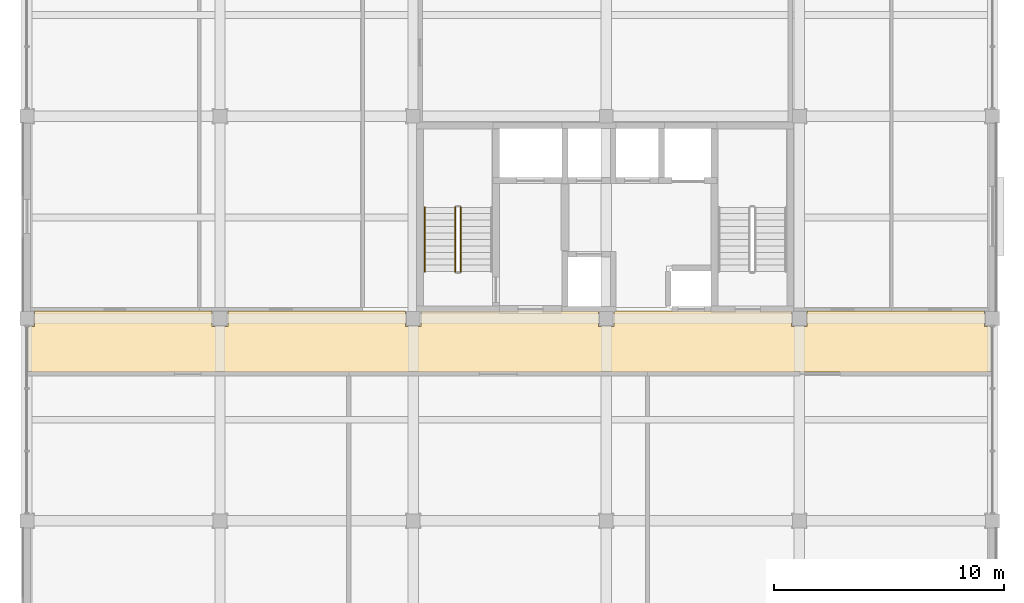
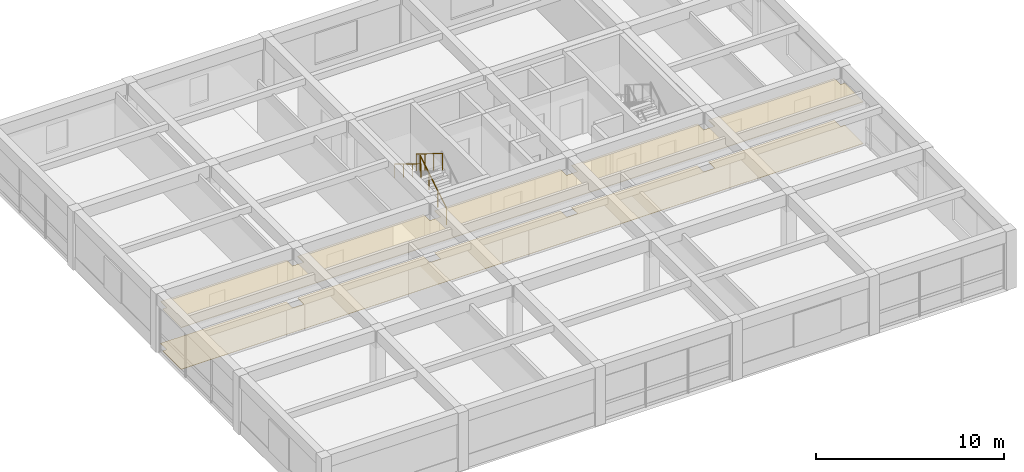
# One storey, part 12 of 14: 3 railings, 2 coverings.
"""IFC4 building model written with IfcOpenShell, lengths in metres."""

from ifc_helpers import new_model, si_unit, direction, frame, origin, origin_2d, place, context, subcontext, project, spatial, polyline, circle, outline, extrude, material, layer, layer_set, type_object, element, save


model = new_model("IFC4")

# Units and contexts
model_context = context("Model", 3, precision=1e-05, world=origin(), true_north=direction((0.0, 1.0)))
body_context = subcontext(model_context, "Body", "Model", "MODEL_VIEW")
ifc_project = project(units=[si_unit("LENGTHUNIT", "METRE"), si_unit("AREAUNIT", "SQUARE_METRE"), si_unit("VOLUMEUNIT", "CUBIC_METRE"), si_unit("PLANEANGLEUNIT", "RADIAN"), si_unit("MASSUNIT", "GRAM", prefix="KILO")], contexts=[model_context])

# Site, building, storey
site_placement = place(None, origin())
site = spatial("IfcSite", under=ifc_project, at=site_placement, CompositionType="ELEMENT")
building_placement = place(site_placement, origin())
building = spatial("IfcBuilding", under=site, at=building_placement, Name="Kemercrest Conservatory and Botanical Centre", CompositionType="ELEMENT")
storey_placement = place(building_placement, frame((0.0, 0.0, 44.39990234375)))
storey = spatial("IfcBuildingStorey", under=building, at=storey_placement, Name="L11", CompositionType="ELEMENT", Elevation=44.39990234375)

# Coverings
ifc_material_1 = material(Name="Perforated acoustic gypsum and mineral-fibre suspended ceiling", Category="gypsum")
ifc_layer_1 = layer(ifc_material_1, 0.034912109375)
ifc_layer_set_1 = layer_set([ifc_layer_1], Name="Perforated acoustic gypsum and mineral-fibre suspended ceiling")
covering_type_1 = type_object("IfcCoveringType", Name="CV-CLG035", PredefinedType="CEILING", material=ifc_layer_set_1)
covering_1_placement = place(storey_placement, frame((0.0, 0.0, 2.7001953125)))
element("IfcCovering", 1, at=covering_1_placement, inside=storey, type_object=covering_type_1, Name="Germplasm Suite Corridor suspended acoustic ceiling", PredefinedType="CEILING", context=body_context, shape_type="SweptSolid", body=[
    extrude(outline(polyline([(134.080078125, 102.47998046875), (175.919921875, 102.47998046875), (175.919921875, 104.4599609375), (175.659912109375, 104.4599609375), (175.659912109375, 105.1201171875), (167.93994140625, 105.1201171875), (167.93994140625, 104.4599609375), (167.260009765625, 104.4599609375), (167.260009765625, 105.1201171875), (159.5400390625, 105.1201171875), (159.5400390625, 104.4599609375), (158.860107421875, 104.4599609375), (158.860107421875, 105.1201171875), (151.139892578125, 105.1201171875), (151.139892578125, 104.4599609375), (150.4599609375, 104.4599609375), (150.4599609375, 105.1201171875), (142.739990234375, 105.1201171875), (142.739990234375, 104.4599609375), (142.06005859375, 104.4599609375), (142.06005859375, 105.1201171875), (134.340087890625, 105.1201171875), (134.340087890625, 104.4599609375), (134.080078125, 104.4599609375), (134.080078125, 102.47998046875)])), origin(), (0.0, 0.0, 1.0), 0.034912109375),
])
ifc_material_2 = material(Name="Polished limestone terrazzo and seamless laboratory epoxy flooring", Category="masonry")
ifc_layer_2 = layer(ifc_material_2, 0.02001953125)
ifc_layer_set_2 = layer_set([ifc_layer_2], Name="Polished limestone terrazzo and seamless laboratory epoxy flooring")
covering_type_2 = type_object("IfcCoveringType", Name="CV-FLR020", PredefinedType="FLOORING", material=ifc_layer_set_2)
covering_2_placement = place(storey_placement, origin())
element("IfcCovering", 2, at=covering_2_placement, inside=storey, type_object=covering_type_2, Name="Germplasm Suite Corridor floor finish", PredefinedType="FLOORING", context=body_context, shape_type="SweptSolid", body=[
    extrude(outline(polyline([(134.080078125, 102.47998046875), (175.919921875, 102.47998046875), (175.919921875, 104.4599609375), (175.659912109375, 104.4599609375), (175.659912109375, 105.1201171875), (167.93994140625, 105.1201171875), (167.93994140625, 104.4599609375), (167.260009765625, 104.4599609375), (167.260009765625, 105.1201171875), (159.5400390625, 105.1201171875), (159.5400390625, 104.4599609375), (158.860107421875, 104.4599609375), (158.860107421875, 105.1201171875), (151.139892578125, 105.1201171875), (151.139892578125, 104.4599609375), (150.4599609375, 104.4599609375), (150.4599609375, 105.1201171875), (142.739990234375, 105.1201171875), (142.739990234375, 104.4599609375), (142.06005859375, 104.4599609375), (142.06005859375, 105.1201171875), (134.340087890625, 105.1201171875), (134.340087890625, 104.4599609375), (134.080078125, 104.4599609375), (134.080078125, 102.47998046875)])), origin(), (0.0, 0.0, 1.0), 0.02001953125),
])

# Railings
ifc_material_3 = material(Name="Painted galvanized steel tubular stair guardrail", Category="steel")
railing_type_1 = type_object("IfcRailingType", Name="GR-STR110", PredefinedType="GUARDRAIL", material=ifc_material_3)
railing_1_placement = place(storey_placement, frame((152.8701171875, 106.840087890625, 0.1728515625)))
element("IfcRailing", 3, at=railing_1_placement, inside=storey, type_object=railing_type_1, Name="L11 ST-V4A stair guard 1", PredefinedType="GUARDRAIL", context=body_context, shape_type="SweptSolid", body=[
    extrude(circle(Radius=0.02392578125, at=origin_2d()), frame((0.0, 0.0, 1.076171875), z_axis=(0.0, 0.851069175582, 0.525053576669), x_axis=(-1.0, 0.0, 0.0)), (0.0, 0.0, 1.0), 3.289794921875),
    extrude(circle(Radius=0.02099609375, at=origin_2d()), origin(), (0.0, 0.0, 1.0), 1.052001953125),
    extrude(circle(Radius=0.02099609375, at=origin_2d()), frame((0.0, 0.933349609375, 0.57568359375)), (0.0, 0.0, 1.0), 1.052001953125),
    extrude(circle(Radius=0.02099609375, at=origin_2d()), frame((0.0, 1.866455078125, 1.151611328125)), (0.0, 0.0, 1.0), 1.052001953125),
    extrude(circle(Radius=0.02099609375, at=origin_2d()), frame((0.0, 2.7998046875, 1.727294921875)), (0.0, 0.0, 1.0), 1.052001953125),
])
railing_2_placement = place(storey_placement, frame((152.6298828125, 109.639892578125, 2.07275390625)))
element("IfcRailing", 4, at=railing_2_placement, inside=storey, type_object=railing_type_1, Name="L11 ST-V4A stair guard 3", PredefinedType="GUARDRAIL", context=body_context, shape_type="SweptSolid", body=[
    extrude(circle(Radius=0.02392578125, at=origin_2d()), frame((0.0, 0.0, 1.076171875), z_axis=(0.0, -0.851069175582, 0.525053576669), x_axis=(1.0, 0.0, 0.0)), (0.0, 0.0, 1.0), 3.289794921875),
    extrude(circle(Radius=0.02099609375, at=origin_2d()), origin(), (0.0, 0.0, 1.0), 1.052001953125),
    extrude(circle(Radius=0.02099609375, at=origin_2d()), frame((0.0, -0.933349609375, 0.57568359375)), (0.0, 0.0, 1.0), 1.052001953125),
    extrude(circle(Radius=0.02099609375, at=origin_2d()), frame((0.0, -1.866455078125, 1.151611328125)), (0.0, 0.0, 1.0), 1.052001953125),
    extrude(circle(Radius=0.02099609375, at=origin_2d()), frame((0.0, -2.7998046875, 1.727294921875)), (0.0, 0.0, 1.0), 1.052001953125),
])
ifc_material_4 = material(Name="Brushed stainless steel wall-mounted handrail", Category="steel")
railing_type_2 = type_object("IfcRailingType", Name="HR-STR090", PredefinedType="HANDRAIL", material=ifc_material_4)
railing_3_placement = place(storey_placement, frame((151.31005859375, 109.639892578125, 2.07275390625)))
element("IfcRailing", 5, at=railing_3_placement, inside=storey, type_object=railing_type_2, Name="L11 ST-V4A stair handrail 2", PredefinedType="HANDRAIL", context=body_context, shape_type="SweptSolid", body=[
    extrude(circle(Radius=0.02392578125, at=origin_2d()), frame((0.0, 0.0, 0.8759765625), z_axis=(0.0, -0.851069175582, 0.525053576669), x_axis=(1.0, 0.0, 0.0)), (0.0, 0.0, 1.0), 3.289794921875),
    extrude(circle(Radius=0.02099609375, at=origin_2d()), origin(), (0.0, 0.0, 1.0), 0.851806640625),
    extrude(circle(Radius=0.02099609375, at=origin_2d()), frame((0.0, -0.933349609375, 0.57568359375)), (0.0, 0.0, 1.0), 0.851806640625),
    extrude(circle(Radius=0.02099609375, at=origin_2d()), frame((0.0, -1.866455078125, 1.151611328125)), (0.0, 0.0, 1.0), 0.851806640625),
    extrude(circle(Radius=0.02099609375, at=origin_2d()), frame((0.0, -2.7998046875, 1.727294921875)), (0.0, 0.0, 1.0), 0.851806640625),
])

save(model, "model.ifc")
